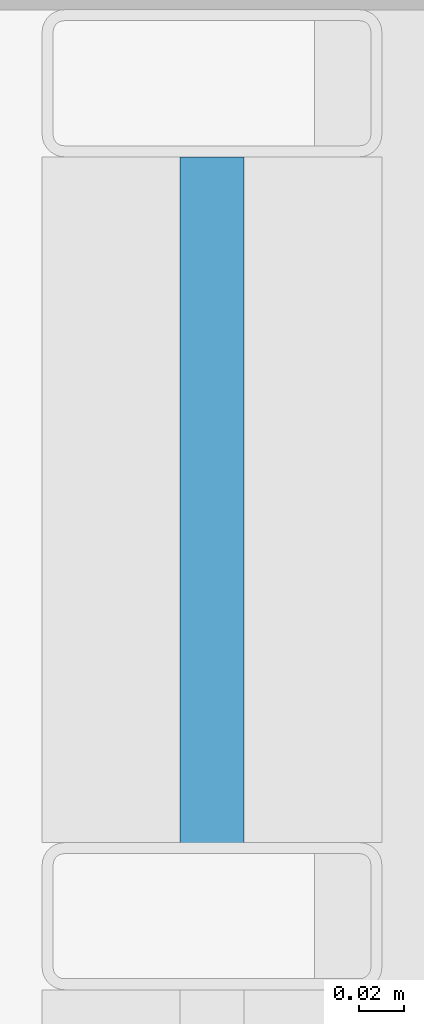
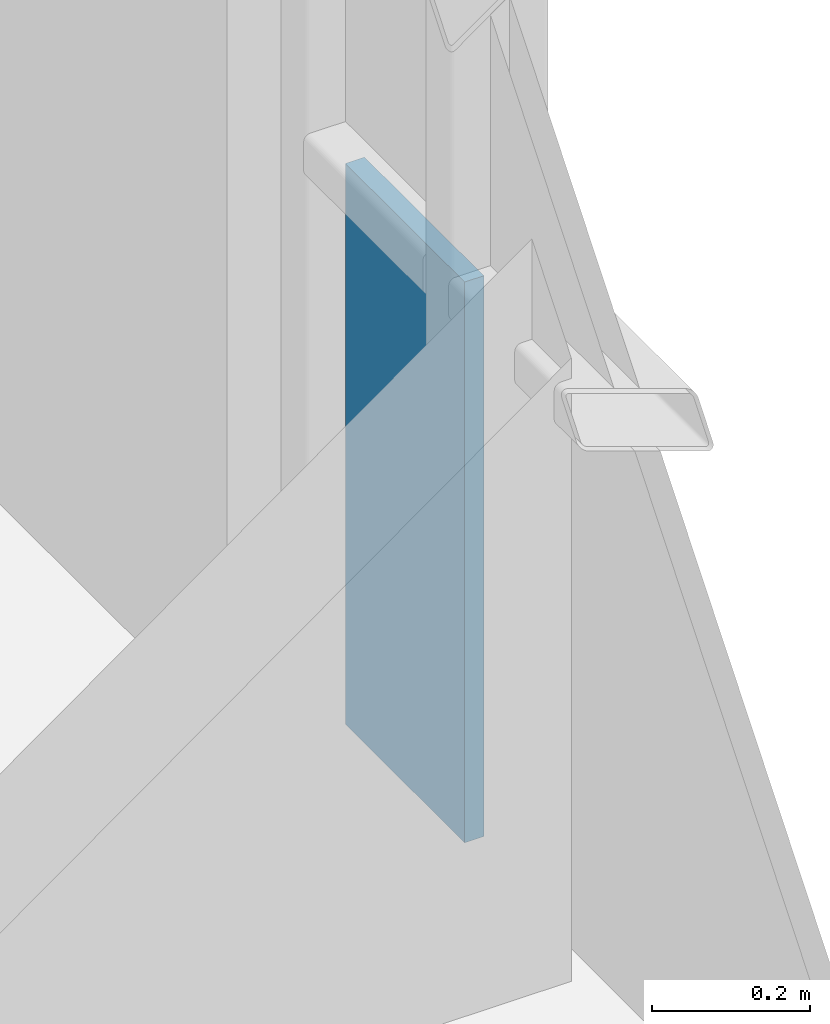
# One storey, part 30 of 41: 1 plate, 1 element without a shape of its own.
"""IFC4 building model written with IfcOpenShell, lengths in metres."""

from ifc_helpers import new_model, si_unit, direction, frame, origin, origin_2d, place, context, subcontext, project, spatial, rectangle, extrude, material, layer, layer_set, type_object, element, aggregate, save


model = new_model("IFC4")

# Units and contexts
model_context = context("Model", 3, precision=1e-05, world=origin(), true_north=direction((0.0, 1.0)))
body_context = subcontext(model_context, "Body", "Model", "MODEL_VIEW")
ifc_project = project(units=[si_unit("LENGTHUNIT", "METRE"), si_unit("AREAUNIT", "SQUARE_METRE"), si_unit("VOLUMEUNIT", "CUBIC_METRE"), si_unit("PLANEANGLEUNIT", "RADIAN"), si_unit("MASSUNIT", "GRAM", prefix="KILO")], contexts=[model_context])

# Site, building, storey
site_placement = place(None, origin())
site = spatial("IfcSite", under=ifc_project, at=site_placement, CompositionType="ELEMENT")
building_placement = place(site_placement, origin())
building = spatial("IfcBuilding", under=site, at=building_placement, Name="Brevholm Reach", CompositionType="ELEMENT")
storey_placement = place(building_placement, frame((0.0, 0.0, 106.60009765625)))
storey = spatial("IfcBuildingStorey", under=building, at=storey_placement, Name="L31", CompositionType="ELEMENT", Elevation=106.60009765625)

# Curtain wall, plate
ifc_material_1 = material(Name="Dark Anodised Aluminium 6063-T6 and Solar-Control Glass", Category="aluminium")
ifc_layer_1 = layer(ifc_material_1, 0.14990234375)
ifc_layer_set_1 = layer_set([ifc_layer_1], Name="Dark Anodised Aluminium 6063-T6 and Solar-Control Glass")
curtain_wall_type = type_object("IfcCurtainWallType", Name="CW-01", PredefinedType="NOTDEFINED", material=ifc_layer_set_1)
curtain_wall_placement = place(storey_placement, origin())
curtain_wall = element("IfcCurtainWall", 1, at=curtain_wall_placement, inside=storey, type_object=curtain_wall_type, Name="L31 Curtain Wall CW-01", PredefinedType="NOTDEFINED")
ifc_material_2 = material(Name="Dark Solar-Control Double-Glazed IGU Glass", Category="glass")
ifc_layer_2 = layer(ifc_material_2, 0.028076171875)
ifc_layer_set_2 = layer_set([ifc_layer_2], Name="Dark Solar-Control Double-Glazed IGU Glass")
plate_type = type_object("IfcPlateType", Name="CWP-GLZ-28", PredefinedType="CURTAIN_PANEL", material=ifc_layer_set_2)
plate_placement = place(storey_placement, frame((59.85009765625, 22.733642578125, 0.0), z_axis=(0.0, 0.0, 1.0), x_axis=(0.0, 1.0, 0.0)))
plate = element("IfcPlate", 2, at=plate_placement, type_object=plate_type, Name="CP-01 Glazing Panel 5.1", PredefinedType="CURTAIN_PANEL", context=body_context, shape_type="SweptSolid", body=[
    extrude(rectangle(XDim=0.302490234375, YDim=0.028076171875, at=origin_2d()), origin(), (0.0, 0.0, 1.0), 0.867431640625),
])
aggregate(curtain_wall, [plate])

save(model, "model.ifc")
